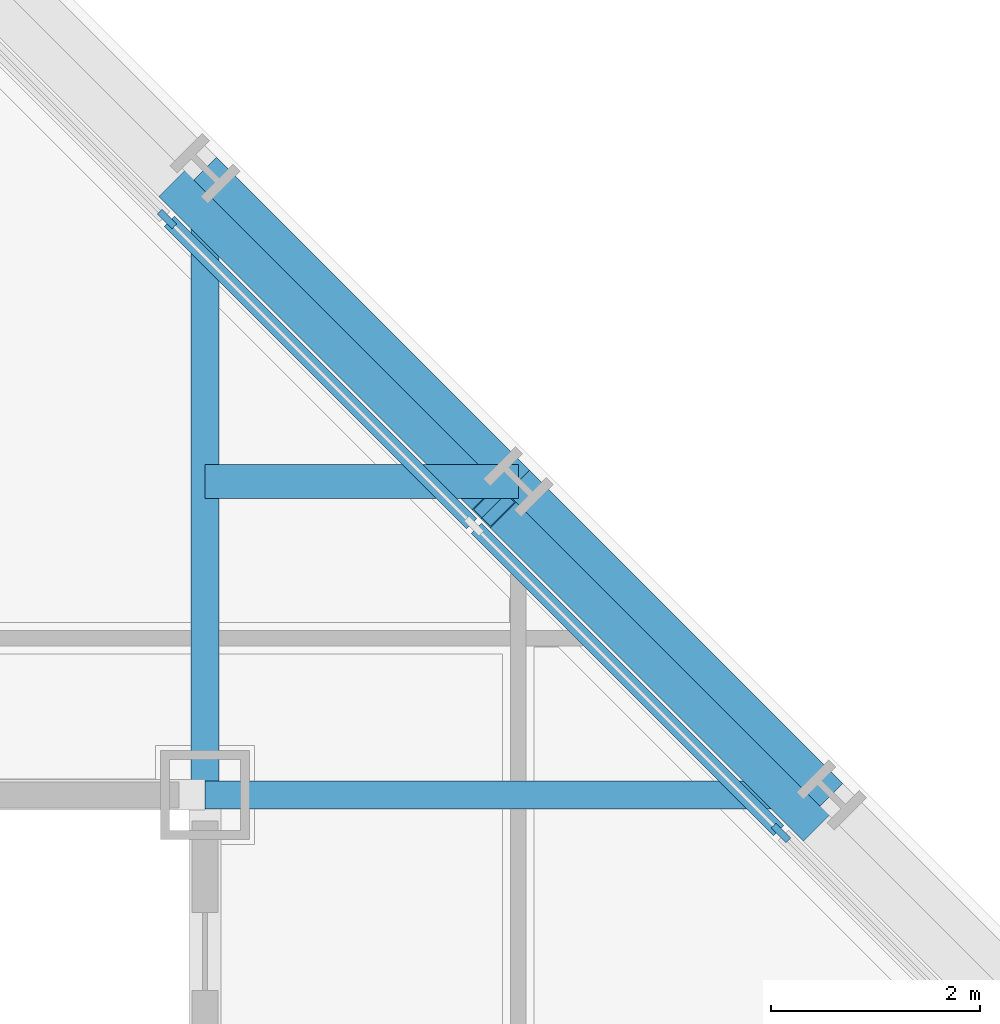
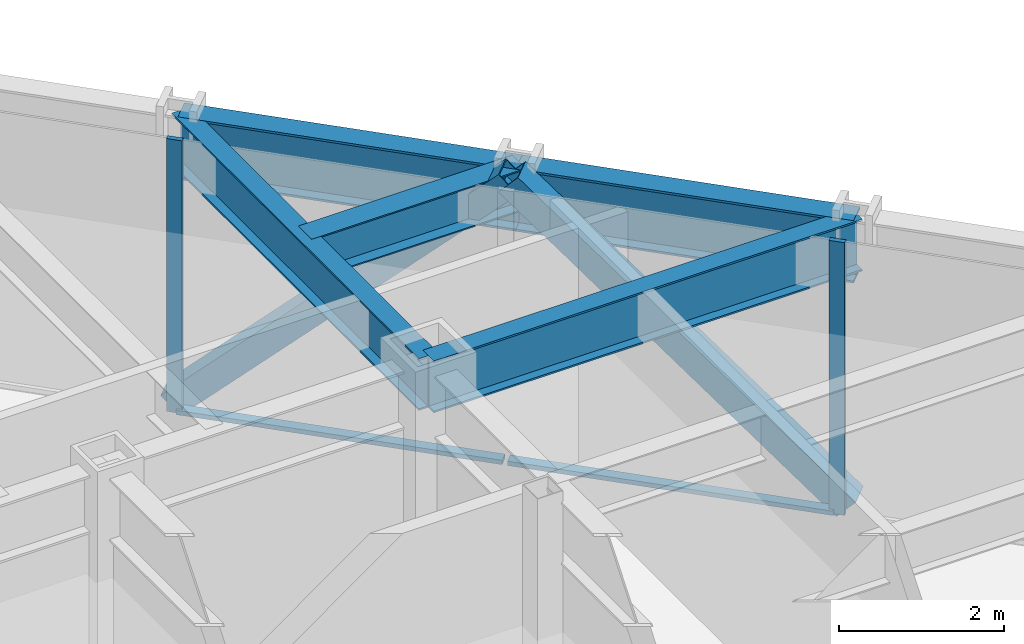
# One storey, part 9 of 16: 6 members, 5 beams, 1 element without a shape of its own.
"""IFC4 building model written with IfcOpenShell, lengths in metres."""

from ifc_helpers import new_model, si_unit, direction, frame, origin, origin_2d, place, context, subcontext, project, spatial, rectangle, hollow_rectangle, i_section, extrude, material, layer, layer_set, material_profile, profile_set, type_object, element, aggregate, save


model = new_model("IFC4")

# Units and contexts
model_context = context("Model", 3, precision=1e-05, world=origin(), true_north=direction((0.0, 1.0)))
body_context = subcontext(model_context, "Body", "Model", "MODEL_VIEW")
ifc_project = project(units=[si_unit("LENGTHUNIT", "METRE"), si_unit("AREAUNIT", "SQUARE_METRE"), si_unit("VOLUMEUNIT", "CUBIC_METRE"), si_unit("PLANEANGLEUNIT", "RADIAN"), si_unit("MASSUNIT", "GRAM", prefix="KILO")], contexts=[model_context])

# Site, building, storey
site_placement = place(None, origin())
site = spatial("IfcSite", under=ifc_project, at=site_placement, CompositionType="ELEMENT")
building_placement = place(site_placement, origin())
building = spatial("IfcBuilding", under=site, at=building_placement, Name="Chuquiago Exchange Tower", CompositionType="ELEMENT")
storey_placement = place(building_placement, frame((0.0, 0.0, 201.300048828125)))
storey = spatial("IfcBuildingStorey", under=building, at=storey_placement, Name="L44", CompositionType="ELEMENT", Elevation=201.300048828125)

# Beam
ifc_material_1 = material(Name="Steel ASTM A992", Category="steel")
ifc_material_profile_1 = material_profile(ifc_material_1, i_section(OverallWidth=0.3251953125, OverallDepth=0.612060546875, WebThickness=0.0126953125, FlangeThickness=0.01904296875, at=origin_2d()), Name="W24X104")
ifc_profile_set_1 = profile_set([ifc_material_profile_1], Name="Steel ASTM A992")
beam_type_1 = type_object("IfcBeamType", Name="B2 W24X104", PredefinedType="BEAM", material=ifc_profile_set_1)
beam_placement = place(storey_placement, frame((33.0, 36.0, 3.73388671875), z_axis=(1.0, 0.0, 0.0), x_axis=(0.0, 1.0, 0.0)))
element("IfcBeam", 1, at=beam_placement, inside=storey, type_object=beam_type_1, Name="FB-L45-corner-33_36-36_36-0", PredefinedType="BEAM", context=body_context, shape_type="SweptSolid", body=[
    extrude(i_section(OverallWidth=0.3251953125, OverallDepth=0.612060546875, WebThickness=0.0126953125, FlangeThickness=0.01904296875, at=origin_2d()), origin(), (0.0, 0.0, 1.0), 3.0),
])

# Curtain wall, members
ifc_material_2 = material(Name="Aluminium curtain wall system", Category="aluminium")
ifc_layer = layer(ifc_material_2, 0.199951171875)
ifc_layer_set = layer_set([ifc_layer], Name="CW3 facet curtain wall")
curtain_wall_type = type_object("IfcCurtainWallType", Name="CW3 facet curtain wall", PredefinedType="NOTDEFINED", material=ifc_layer_set)
curtain_wall_placement = place(storey_placement, origin())
curtain_wall = element("IfcCurtainWall", 2, at=curtain_wall_placement, inside=storey, type_object=curtain_wall_type, Name="CW3 curtain wall L44", PredefinedType="NOTDEFINED")
ifc_material_3 = material(Name="Aluminium mullion, pale anodised", Category="aluminium")
ifc_material_profile_2 = material_profile(ifc_material_3, rectangle(XDim=0.06494140625, YDim=0.199951171875, at=origin_2d()), Name="AL 65x200")
ifc_profile_set_2 = profile_set([ifc_material_profile_2], Name="Aluminium mullion, pale anodised")
member_type_1 = type_object("IfcMemberType", Name="CW3-M mullion 65x200", PredefinedType="MULLION", material=ifc_profile_set_2)
member_1_placement = place(storey_placement, frame((38.51708984375, 32.63427734375, 0.0), z_axis=(0.0, 0.0, 1.0), x_axis=(-0.707106781187, -0.707106781187, 0.0)))
member_1 = element("IfcMember", 3, at=member_1_placement, type_object=member_type_1, Name="CW3 mullion 3", PredefinedType="MULLION", context=body_context, shape_type="SweptSolid", body=[
    extrude(rectangle(XDim=0.06494140625, YDim=0.199951171875, at=origin_2d()), origin(), (0.0, 0.0, 1.0), 4.0400390625),
])
member_2_placement = place(storey_placement, frame((32.63427734375, 38.51708984375, 0.0), z_axis=(0.0, 0.0, 1.0), x_axis=(-0.707106781187, -0.707106781187, 0.0)))
member_2 = element("IfcMember", 4, at=member_2_placement, type_object=member_type_1, Name="CW3 mullion 5", PredefinedType="MULLION", context=body_context, shape_type="SweptSolid", body=[
    extrude(rectangle(XDim=0.06494140625, YDim=0.199951171875, at=origin_2d()), origin(), (0.0, 0.0, 1.0), 4.0400390625),
])
ifc_material_4 = material(Name="Aluminium transom, pale anodised", Category="aluminium")
ifc_material_profile_3 = material_profile(ifc_material_4, rectangle(XDim=0.139892578125, YDim=0.06494140625, at=origin_2d()), Name="AL 140x65")
ifc_profile_set_3 = profile_set([ifc_material_profile_3], Name="Aluminium transom, pale anodised")
member_type_2 = type_object("IfcMemberType", Name="CW3-T transom 65x140", PredefinedType="MULLION", material=ifc_profile_set_3)
member_3_placement = place(storey_placement, frame((38.494140625, 32.6572265625, 0.032470703125), z_axis=(-0.707106781187, 0.707106781187, 0.0), x_axis=(-0.707106781187, -0.707106781187, 0.0)))
member_3 = element("IfcMember", 5, at=member_3_placement, type_object=member_type_2, Name="CW3 transom 3.1", PredefinedType="MULLION", context=body_context, shape_type="SweptSolid", body=[
    extrude(rectangle(XDim=0.139892578125, YDim=0.06494140625, at=origin_2d()), origin(), (0.0, 0.0, 1.0), 4.094970703125),
])
member_4_placement = place(storey_placement, frame((35.552734375, 35.5986328125, 0.032470703125), z_axis=(-0.707106781187, 0.707106781187, 0.0), x_axis=(-0.707106781187, -0.707106781187, 0.0)))
member_4 = element("IfcMember", 6, at=member_4_placement, type_object=member_type_2, Name="CW3 transom 4.1", PredefinedType="MULLION", context=body_context, shape_type="SweptSolid", body=[
    extrude(rectangle(XDim=0.139892578125, YDim=0.06494140625, at=origin_2d()), origin(), (0.0, 0.0, 1.0), 4.094970703125),
])
aggregate(curtain_wall, [member_1, member_2, member_3, member_4])

# Beams
ifc_material_5 = material(Name="Steel ASTM A992", Category="steel")
ifc_material_profile_4 = material_profile(ifc_material_5, i_section(OverallWidth=0.2666015625, OverallDepth=0.76953125, WebThickness=0.015625, FlangeThickness=0.025390625, at=origin_2d()), Name="W30X132")
ifc_profile_set_4 = profile_set([ifc_material_profile_4], Name="Steel ASTM A992")
beam_type_2 = type_object("IfcBeamType", Name="G1 W30X132", PredefinedType="BEAM", material=ifc_profile_set_4)
for number, where, z_axis, x_axis, name in (
    (7, (33.0, 33.0, 3.655029296875), (0.0, 1.0, 0.0), (-1.0, 0.0, 0.0), "FB-L45-girder-33_33-33_39-0"),
    (8, (33.0, 33.0, 3.655029296875), (1.0, 0.0, 0.0), (0.0, 1.0, 0.0), "FB-L45-girder-33_33-39_33-0"),
):
    element("IfcBeam", number, at=place(storey_placement, frame(where, z_axis=z_axis, x_axis=x_axis)), inside=storey, type_object=beam_type_2, Name=name, PredefinedType="BEAM", context=body_context, shape_type="SweptSolid", body=[
        extrude(i_section(OverallWidth=0.2666015625, OverallDepth=0.76953125, WebThickness=0.015625, FlangeThickness=0.025390625, at=origin_2d()), origin(), (0.0, 0.0, 1.0), 6.0),
    ])

# Members
ifc_material_6 = material(Name="Steel ASTM A500 Grade C", Category="steel")
ifc_material_profile_5 = material_profile(ifc_material_6, hollow_rectangle(XDim=0.355712890625, YDim=0.355712890625, WallThickness=0.0146484375, at=origin_2d()), Name="HSS14X14X5/8")
ifc_profile_set_5 = profile_set([ifc_material_profile_5], Name="Steel ASTM A500 Grade C")
member_type_3 = type_object("IfcMemberType", Name="LB2 HSS14X14X5/8", PredefinedType="BRACE", material=ifc_profile_set_5)
for number, where, z_axis, x_axis, name in (
    (9, (38.7685546875, 32.7685546875, 0.0), (-0.512077265487, 0.512077265487, 0.689604051861), (-0.707106781187, -0.707106781187, 0.0), "LB-L44-39_33-36_36"),
    (10, (32.7685546875, 38.7685546875, 0.0), (0.512077265487, -0.512077265487, 0.689604051861), (0.707106781187, 0.707106781187, 0.0), "LB-L44-36_36-33_39"),
):
    element("IfcMember", number, at=place(storey_placement, frame(where, z_axis=z_axis, x_axis=x_axis)), inside=storey, type_object=member_type_3, Name=name, PredefinedType="BRACE", context=body_context, shape_type="SweptSolid", body=[
        extrude(hollow_rectangle(XDim=0.355712890625, YDim=0.355712890625, WallThickness=0.0146484375, at=origin_2d()), origin(), (0.0, 0.0, 1.0), 5.8583984375),
    ])

# Beams
ifc_material_7 = material(Name="Steel ASTM A992", Category="steel")
ifc_material_profile_6 = material_profile(ifc_material_7, i_section(OverallWidth=0.307373046875, OverallDepth=0.927001953125, WebThickness=0.01953125, FlangeThickness=0.031982421875, at=origin_2d()), Name="W36X194")
ifc_profile_set_6 = profile_set([ifc_material_profile_6], Name="Steel ASTM A992")
beam_type_3 = type_object("IfcBeamType", Name="SP3 W36X194", PredefinedType="SPANDREL", material=ifc_profile_set_6)
for number, where, z_axis, x_axis, name in (
    (11, (39.0, 33.0, 3.576416015625), (-0.707106781187, 0.707106781187, 0.0), (-0.707106781187, -0.707106781187, 0.0), "SPB-L45-39_33-36_36"),
    (12, (36.0, 36.0, 3.576416015625), (-0.707106781187, 0.707106781187, 0.0), (-0.707106781187, -0.707106781187, 0.0), "SPB-L45-36_36-33_39"),
):
    element("IfcBeam", number, at=place(storey_placement, frame(where, z_axis=z_axis, x_axis=x_axis)), inside=storey, type_object=beam_type_3, Name=name, PredefinedType="SPANDREL", context=body_context, shape_type="SweptSolid", body=[
        extrude(i_section(OverallWidth=0.307373046875, OverallDepth=0.927001953125, WebThickness=0.01953125, FlangeThickness=0.031982421875, at=origin_2d()), origin(), (0.0, 0.0, 1.0), 4.24267578125),
    ])

save(model, "model.ifc")
